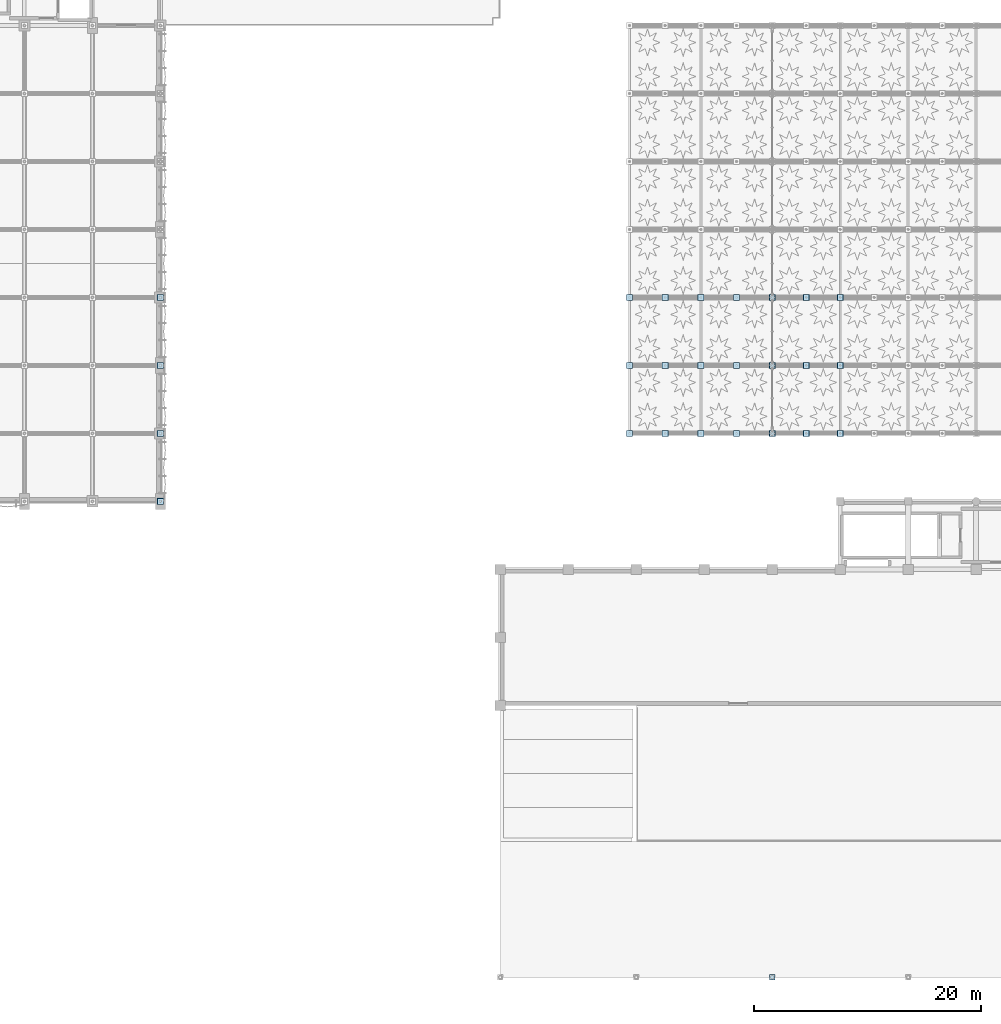
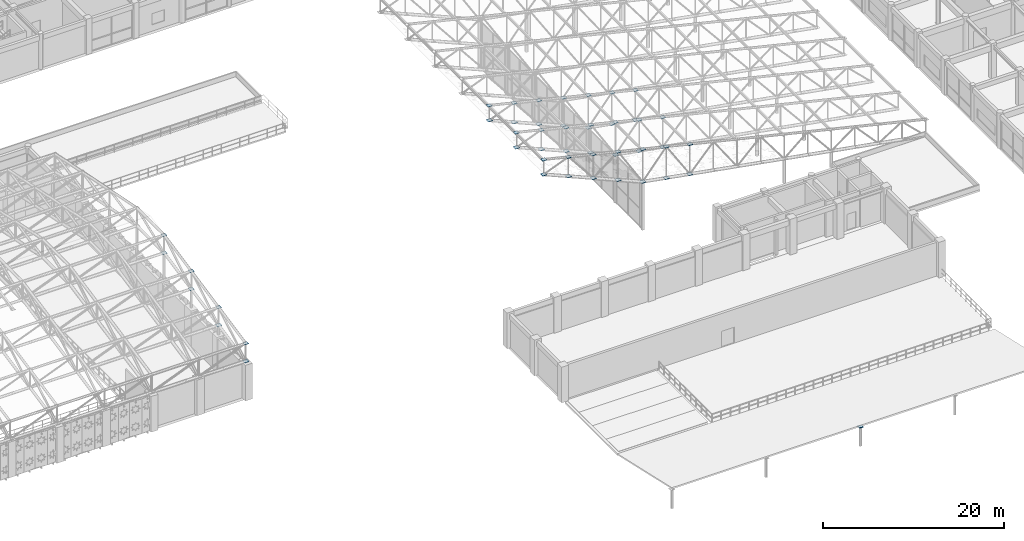
# One storey, part 87 of 112: 51 plates.
"""IFC4 building model written with IfcOpenShell, lengths in metres."""

from ifc_helpers import new_model, si_unit, direction, frame, origin, origin_2d, place, context, subcontext, project, spatial, rectangle, extrude, material, layer, layer_set, type_object, element, save


model = new_model("IFC4")

# Units and contexts
model_context = context("Model", 3, precision=1e-05, world=origin(), true_north=direction((0.0, 1.0)))
body_context = subcontext(model_context, "Body", "Model", "MODEL_VIEW")
ifc_project = project(units=[si_unit("LENGTHUNIT", "METRE"), si_unit("AREAUNIT", "SQUARE_METRE"), si_unit("VOLUMEUNIT", "CUBIC_METRE"), si_unit("PLANEANGLEUNIT", "RADIAN"), si_unit("MASSUNIT", "GRAM", prefix="KILO"), si_unit("THERMODYNAMICTEMPERATUREUNIT", "KELVIN"), si_unit("POWERUNIT", "WATT")], contexts=[model_context])

# Site, building, storey
site_placement = place(None, origin())
site = spatial("IfcSite", under=ifc_project, at=site_placement, CompositionType="ELEMENT")
building_placement = place(site_placement, origin())
building = spatial("IfcBuilding", under=site, at=building_placement, Name="Phaisarnlok Congress Hotel", CompositionType="ELEMENT")
storey_placement = place(building_placement, frame((0.0, 0.0, 19.800048828125)))
storey = spatial("IfcBuildingStorey", under=building, at=storey_placement, Name="L04", CompositionType="ELEMENT", Elevation=19.800048828125)

# Plates
ifc_material = material(Name="Steel S355", Category="steel")
ifc_layer_1 = layer(ifc_material, 0.02001953125, Name="Steel S355")
ifc_layer_set_1 = layer_set([ifc_layer_1], Name="Steel S355")
plate_type_1 = type_object("IfcPlateType", Name="PLT-NODE-480", PredefinedType="SHEET", material=ifc_layer_set_1)
plate_placement = place(storey_placement, frame((120.0, 0.0, 2.550048828125), z_axis=(0.0, 0.0, 1.0), x_axis=(1.0, 0.0, 0.0)))
element("IfcPlate", 1, at=plate_placement, inside=storey, type_object=plate_type_1, Name="Steel truss node plate NP-03 at NP-V2PR-120", PredefinedType="SHEET", context=body_context, shape_type="SweptSolid", body=[
    extrude(rectangle(XDim=0.47998046875, YDim=0.47998046875, at=origin_2d()), origin(), (0.0, 0.0, 1.0), 0.02001953125),
])
ifc_layer_2 = layer(ifc_material, 0.02490234375, Name="Steel S355")
ifc_layer_set_2 = layer_set([ifc_layer_2], Name="Steel S355")
plate_type_2 = type_object("IfcPlateType", Name="PLT-NODE-520", PredefinedType="SHEET", material=ifc_layer_set_2)
for number, where, z_axis, x_axis, name in (
    (2, (66.0, 42.0, 7.1875), (0.0, 0.0, 1.0), (1.0, 0.0, 0.0), "Steel truss node plate NP-02 at NP-SFT-11-00"),
    (3, (66.0, 48.0, 8.408203125), (0.0, 0.0, 1.0), (1.0, 0.0, 0.0), "Steel truss node plate NP-02 at NP-SFT-11-01"),
    (4, (66.0, 54.0, 9.62890625), (0.0, 0.0, 1.0), (1.0, 0.0, 0.0), "Steel truss node plate NP-02 at NP-SFT-11-02"),
    (5, (66.0, 60.0, 10.849609375), (0.0, 0.0, 1.0), (1.0, 0.0, 0.0), "Steel truss node plate NP-02 at NP-SFT-11-03"),
    (6, (126.0, 48.0, 9.347900390625), (0.0, 0.0, 1.0), (1.0, 0.0, 0.0), "Steel truss node plate NP-02 at NP-WRC-T-0-10"),
    (7, (123.0, 48.0, 10.06396484375), (0.0, 0.0, 1.0), (1.0, 0.0, 0.0), "Steel truss node plate NP-02 at NP-WRC-T-0-11"),
    (8, (120.0, 48.0, 10.780029296875), (0.0, 0.0, 1.0), (1.0, 0.0, 0.0), "Steel truss node plate NP-02 at NP-WRC-T-0-12"),
    (9, (116.85009765625, 48.0, 11.531982421875), (0.0, 0.0, 1.0), (1.0, 0.0, 0.0), "Steel truss node plate NP-02 at NP-WRC-T-0-13"),
    (10, (113.699951171875, 48.0, 12.28369140625), (0.0, 0.0, 1.0), (1.0, 0.0, 0.0), "Steel truss node plate NP-02 at NP-WRC-T-0-14"),
    (11, (110.550048828125, 48.0, 13.03564453125), (0.0, 0.0, 1.0), (1.0, 0.0, 0.0), "Steel truss node plate NP-02 at NP-WRC-T-0-15"),
    (12, (107.39990234375, 48.0, 13.78759765625), (0.0, 0.0, 1.0), (1.0, 0.0, 0.0), "Steel truss node plate NP-02 at NP-WRC-T-0-16"),
    (13, (126.0, 54.0, 9.347900390625), (0.0, 0.0, 1.0), (1.0, 0.0, 0.0), "Steel truss node plate NP-02 at NP-WRC-T-1-10"),
    (14, (123.0, 54.0, 10.06396484375), (0.0, 0.0, 1.0), (1.0, 0.0, 0.0), "Steel truss node plate NP-02 at NP-WRC-T-1-11"),
    (15, (120.0, 54.0, 10.780029296875), (0.0, 0.0, 1.0), (1.0, 0.0, 0.0), "Steel truss node plate NP-02 at NP-WRC-T-1-12"),
    (16, (116.85009765625, 54.0, 11.531982421875), (0.0, 0.0, 1.0), (1.0, 0.0, 0.0), "Steel truss node plate NP-02 at NP-WRC-T-1-13"),
    (17, (113.699951171875, 54.0, 12.28369140625), (0.0, 0.0, 1.0), (1.0, 0.0, 0.0), "Steel truss node plate NP-02 at NP-WRC-T-1-14"),
    (18, (110.550048828125, 54.0, 13.03564453125), (0.0, 0.0, 1.0), (1.0, 0.0, 0.0), "Steel truss node plate NP-02 at NP-WRC-T-1-15"),
    (19, (107.39990234375, 54.0, 13.78759765625), (0.0, 0.0, 1.0), (1.0, 0.0, 0.0), "Steel truss node plate NP-02 at NP-WRC-T-1-16"),
    (20, (126.0, 60.0, 9.347900390625), (0.0, 0.0, 1.0), (1.0, 0.0, 0.0), "Steel truss node plate NP-02 at NP-WRC-T-2-10"),
    (21, (123.0, 60.0, 10.06396484375), (0.0, 0.0, 1.0), (1.0, 0.0, 0.0), "Steel truss node plate NP-02 at NP-WRC-T-2-11"),
    (22, (120.0, 60.0, 10.780029296875), (0.0, 0.0, 1.0), (1.0, 0.0, 0.0), "Steel truss node plate NP-02 at NP-WRC-T-2-12"),
    (23, (116.85009765625, 60.0, 11.531982421875), (0.0, 0.0, 1.0), (1.0, 0.0, 0.0), "Steel truss node plate NP-02 at NP-WRC-T-2-13"),
    (24, (113.699951171875, 60.0, 12.28369140625), (0.0, 0.0, 1.0), (1.0, 0.0, 0.0), "Steel truss node plate NP-02 at NP-WRC-T-2-14"),
    (25, (110.550048828125, 60.0, 13.03564453125), (0.0, 0.0, 1.0), (1.0, 0.0, 0.0), "Steel truss node plate NP-02 at NP-WRC-T-2-15"),
    (26, (107.39990234375, 60.0, 13.78759765625), (0.0, 0.0, 1.0), (1.0, 0.0, 0.0), "Steel truss node plate NP-02 at NP-WRC-T-2-16"),
):
    element("IfcPlate", number, at=place(storey_placement, frame(where, z_axis=z_axis, x_axis=x_axis)), inside=storey, type_object=plate_type_2, Name=name, PredefinedType="SHEET", context=body_context, shape_type="SweptSolid", body=[
        extrude(rectangle(XDim=0.52001953125, YDim=0.52001953125, at=origin_2d()), origin(), (0.0, 0.0, 1.0), 0.02490234375),
    ])
ifc_layer_3 = layer(ifc_material, 0.030029296875, Name="Steel S355")
ifc_layer_set_3 = layer_set([ifc_layer_3], Name="Steel S355")
plate_type_3 = type_object("IfcPlateType", Name="PLT-NODE-560", PredefinedType="SHEET", material=ifc_layer_set_3)
for number, where, z_axis, x_axis, name in (
    (27, (66.0, 42.0, 4.78515625), (0.0, 0.0, 1.0), (1.0, 0.0, 0.0), "Steel truss node plate NP-01 at NP-SFB-11-00"),
    (28, (66.0, 48.0, 6.005859375), (0.0, 0.0, 1.0), (1.0, 0.0, 0.0), "Steel truss node plate NP-01 at NP-SFB-11-01"),
    (29, (66.0, 54.0, 7.2265625), (0.0, 0.0, 1.0), (1.0, 0.0, 0.0), "Steel truss node plate NP-01 at NP-SFB-11-02"),
    (30, (66.0, 60.0, 8.447265625), (0.0, 0.0, 1.0), (1.0, 0.0, 0.0), "Steel truss node plate NP-01 at NP-SFB-11-03"),
    (31, (120.0, 48.0, 6.384765625), (0.0, 0.0, 1.0), (1.0, 0.0, 0.0), "Steel truss node plate NP-01 at NP-WRC-COLU-048"),
    (32, (120.0, 54.0, 6.384765625), (0.0, 0.0, 1.0), (1.0, 0.0, 0.0), "Steel truss node plate NP-01 at NP-WRC-COLU-054"),
    (33, (120.0, 60.0, 6.384765625), (0.0, 0.0, 1.0), (1.0, 0.0, 0.0), "Steel truss node plate NP-01 at NP-WRC-COLU-060"),
    (34, (126.0, 48.0, 5.318359375), (0.0, 0.0, 1.0), (1.0, 0.0, 0.0), "Steel truss node plate NP-01 at NP-WRC-B-0-10"),
    (35, (123.0, 48.0, 5.8515625), (0.0, 0.0, 1.0), (1.0, 0.0, 0.0), "Steel truss node plate NP-01 at NP-WRC-B-0-11"),
    (36, (116.85009765625, 48.0, 7.73486328125), (0.0, 0.0, 1.0), (1.0, 0.0, 0.0), "Steel truss node plate NP-01 at NP-WRC-B-0-13"),
    (37, (113.699951171875, 48.0, 9.0849609375), (0.0, 0.0, 1.0), (1.0, 0.0, 0.0), "Steel truss node plate NP-01 at NP-WRC-B-0-14"),
    (38, (110.550048828125, 48.0, 10.43505859375), (0.0, 0.0, 1.0), (1.0, 0.0, 0.0), "Steel truss node plate NP-01 at NP-WRC-B-0-15"),
    (39, (107.39990234375, 48.0, 11.78515625), (0.0, 0.0, 1.0), (1.0, 0.0, 0.0), "Steel truss node plate NP-01 at NP-WRC-B-0-16"),
    (40, (126.0, 54.0, 5.318359375), (0.0, 0.0, 1.0), (1.0, 0.0, 0.0), "Steel truss node plate NP-01 at NP-WRC-B-1-10"),
    (41, (123.0, 54.0, 5.8515625), (0.0, 0.0, 1.0), (1.0, 0.0, 0.0), "Steel truss node plate NP-01 at NP-WRC-B-1-11"),
    (42, (116.85009765625, 54.0, 7.73486328125), (0.0, 0.0, 1.0), (1.0, 0.0, 0.0), "Steel truss node plate NP-01 at NP-WRC-B-1-13"),
    (43, (113.699951171875, 54.0, 9.0849609375), (0.0, 0.0, 1.0), (1.0, 0.0, 0.0), "Steel truss node plate NP-01 at NP-WRC-B-1-14"),
    (44, (110.550048828125, 54.0, 10.43505859375), (0.0, 0.0, 1.0), (1.0, 0.0, 0.0), "Steel truss node plate NP-01 at NP-WRC-B-1-15"),
    (45, (107.39990234375, 54.0, 11.78515625), (0.0, 0.0, 1.0), (1.0, 0.0, 0.0), "Steel truss node plate NP-01 at NP-WRC-B-1-16"),
    (46, (126.0, 60.0, 5.318359375), (0.0, 0.0, 1.0), (1.0, 0.0, 0.0), "Steel truss node plate NP-01 at NP-WRC-B-2-10"),
    (47, (123.0, 60.0, 5.8515625), (0.0, 0.0, 1.0), (1.0, 0.0, 0.0), "Steel truss node plate NP-01 at NP-WRC-B-2-11"),
    (48, (116.85009765625, 60.0, 7.73486328125), (0.0, 0.0, 1.0), (1.0, 0.0, 0.0), "Steel truss node plate NP-01 at NP-WRC-B-2-13"),
    (49, (113.699951171875, 60.0, 9.0849609375), (0.0, 0.0, 1.0), (1.0, 0.0, 0.0), "Steel truss node plate NP-01 at NP-WRC-B-2-14"),
    (50, (110.550048828125, 60.0, 10.43505859375), (0.0, 0.0, 1.0), (1.0, 0.0, 0.0), "Steel truss node plate NP-01 at NP-WRC-B-2-15"),
    (51, (107.39990234375, 60.0, 11.78515625), (0.0, 0.0, 1.0), (1.0, 0.0, 0.0), "Steel truss node plate NP-01 at NP-WRC-B-2-16"),
):
    element("IfcPlate", number, at=place(storey_placement, frame(where, z_axis=z_axis, x_axis=x_axis)), inside=storey, type_object=plate_type_3, Name=name, PredefinedType="SHEET", context=body_context, shape_type="SweptSolid", body=[
        extrude(rectangle(XDim=0.56005859375, YDim=0.56005859375, at=origin_2d()), origin(), (0.0, 0.0, 1.0), 0.030029296875),
    ])

save(model, "model.ifc")
